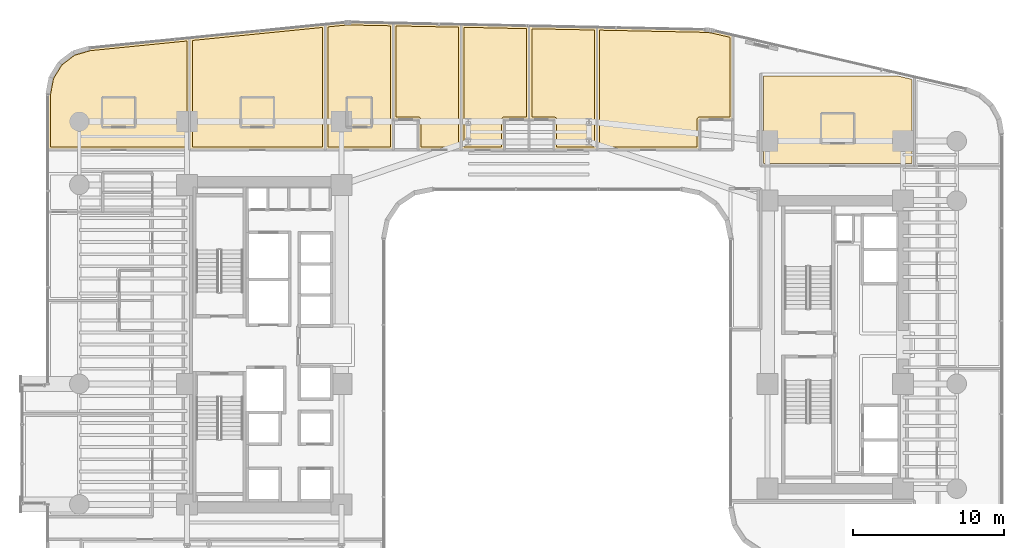
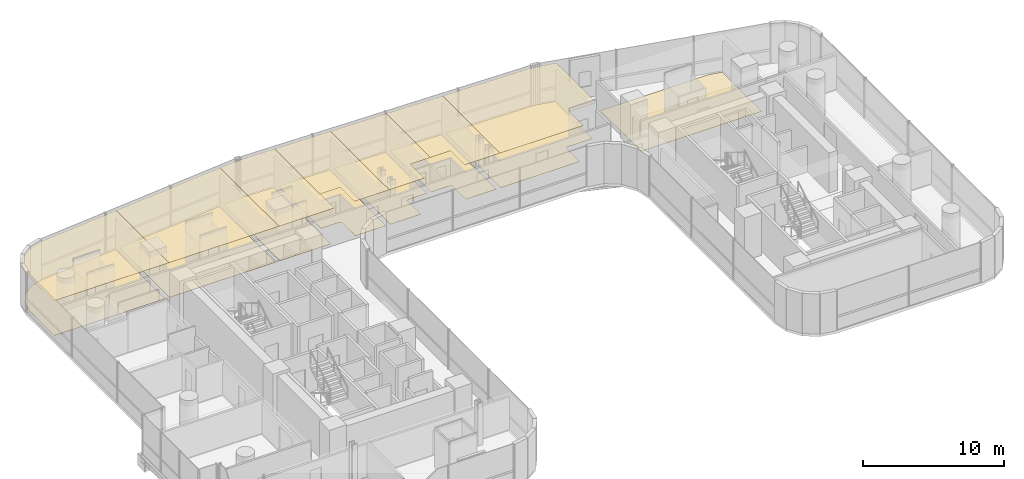
# One storey, part 39 of 40: 15 coverings.
"""IFC4 building model written with IfcOpenShell, lengths in metres."""

import ifcopenshell
import ifcopenshell.guid

model = None  # the IFC model being written
_history = None  # IfcOwnerHistory: only IFC2X3 demands one
_inside = {}  # id of a spatial element -> (the spatial element, [elements in it])
_under = {}  # id of a project, library or spatial element -> (it, [spatial elements below it])
_declared = {}  # id of a project -> (the project, [libraries it declares])
_typed = {}  # id of a type object -> (the type object, [elements of that type])
_made_of = {}  # id of a material, layer set ... -> (it, [elements and type objects made of it])


def new_model(schema):
    """Start an empty IFC model of exactly this schema.

    Asked for "IFC4X3", IfcOpenShell would pick the latest addendum, in which some entities
    have other attributes; the version numbers below select the first issue.
    IFC2X3 requires an IfcOwnerHistory on every rooted entity: one is made here for all.
    """
    global model, _history
    if schema == "IFC4X3":
        model = ifcopenshell.file(schema_version=(4, 3, 0, 0))
    else:
        model = ifcopenshell.file(schema=schema)
    _inside.clear()
    _under.clear()
    _declared.clear()
    _typed.clear()
    _made_of.clear()
    _history = None
    if model.schema == "IFC2X3":
        org = make("IfcOrganization", Name="unknown")
        user = make(
            "IfcPersonAndOrganization",
            ThePerson=make("IfcPerson", FamilyName="unknown"),
            TheOrganization=org,
        )
        app = make(
            "IfcApplication",
            ApplicationDeveloper=org,
            Version="unknown",
            ApplicationFullName="unknown",
            ApplicationIdentifier="unknown",
        )
        _history = make(
            "IfcOwnerHistory",
            OwningUser=user,
            OwningApplication=app,
            ChangeAction="ADDED",
            CreationDate=0,
        )
    return model


def make(cls, **values):
    """One entity of the class cls with the attributes given. An attribute that is None is left unset."""
    return model.create_entity(
        cls, **{name: value for name, value in values.items() if value is not None}
    )


def rooted(cls, **values):
    """An entity with a GlobalId (a new one), such as an element, a storey or a relation."""
    return make(cls, GlobalId=ifcopenshell.guid.new(), OwnerHistory=_history, **values)


def si_unit(unit_type, name, prefix=None):
    """IfcSIUnit, for example si_unit("LENGTHUNIT", "METRE", prefix="MILLI")."""
    return make("IfcSIUnit", UnitType=unit_type, Prefix=prefix, Name=name)


def assignment(units):
    """IfcUnitAssignment: the units of a project."""
    return None if units is None else make("IfcUnitAssignment", Units=units)


def point(xyz):
    """IfcCartesianPoint."""
    return None if xyz is None else make("IfcCartesianPoint", Coordinates=xyz)


def direction(xyz):
    """IfcDirection."""
    return None if xyz is None else make("IfcDirection", DirectionRatios=xyz)


def frame(location, z_axis=None, x_axis=None):
    """IfcAxis2Placement3D, a coordinate frame: its origin and axes. An axis left out is left unset."""
    return make(
        "IfcAxis2Placement3D",
        Location=point(location),
        Axis=direction(z_axis),
        RefDirection=direction(x_axis),
    )


def origin():
    """The frame at (0, 0, 0) with its axes left unset."""
    return frame((0.0, 0.0, 0.0))


def place(relative_to, where):
    """IfcLocalPlacement: puts the frame where relative to a parent placement (None: the world)."""
    return make(
        "IfcLocalPlacement", PlacementRelTo=relative_to, RelativePlacement=where
    )


def context(
    kind, dimensions, precision=None, world=None, true_north=None, identifier=None
):
    """IfcGeometricRepresentationContext, for example the 3D "Model" context."""
    return make(
        "IfcGeometricRepresentationContext",
        ContextIdentifier=identifier,
        ContextType=kind,
        CoordinateSpaceDimension=dimensions,
        Precision=precision,
        WorldCoordinateSystem=world,
        TrueNorth=true_north,
    )


def subcontext(parent, identifier, kind, view, scale=None):
    """IfcGeometricRepresentationSubContext, for example "Body" below "Model"."""
    return make(
        "IfcGeometricRepresentationSubContext",
        ContextIdentifier=identifier,
        ContextType=kind,
        ParentContext=parent,
        TargetScale=scale,
        TargetView=view,
    )


def project(units=None, contexts=None):
    """IfcProject with its units and contexts."""
    return rooted(
        "IfcProject",
        Name="project",
        RepresentationContexts=contexts,
        UnitsInContext=assignment(units),
    )


def spatial(cls, under=None, at=None, **own):
    """A site, building, storey or space (cls), placed at a placement, below another one or the project."""
    s = rooted(cls, ObjectPlacement=at, **own)
    if under is not None:
        _under.setdefault(under.id(), (under, []))[1].append(s)
    return s


def polyline(points):
    """IfcPolyline through the points."""
    return make("IfcPolyline", Points=[point(p) for p in points])


def outline(outer, holes=None, kind="AREA"):
    """IfcArbitraryClosedProfileDef: a profile drawn as a closed curve; with holes, ...WithVoids."""
    if holes is None:
        return make("IfcArbitraryClosedProfileDef", ProfileType=kind, OuterCurve=outer)
    return make(
        "IfcArbitraryProfileDefWithVoids",
        ProfileType=kind,
        OuterCurve=outer,
        InnerCurves=holes,
    )


def extrude(swept, where, along, depth):
    """IfcExtrudedAreaSolid: the profile swept, set in the frame where, extruded along a direction by depth."""
    return make(
        "IfcExtrudedAreaSolid",
        SweptArea=swept,
        Position=where,
        ExtrudedDirection=direction(along),
        Depth=depth,
    )


def shape(context_of_items, identifier, shape_type, items):
    """IfcShapeRepresentation: the items that make up one representation, for example the "Body"."""
    return make(
        "IfcShapeRepresentation",
        ContextOfItems=context_of_items,
        RepresentationIdentifier=identifier,
        RepresentationType=shape_type,
        Items=items,
    )


def material(Name=None, Category=None):
    """IfcMaterial."""
    return make("IfcMaterial", Name=Name, Category=Category)


def layer(
    of_material, thickness, ventilated=None, Name=None, Category=None, Priority=None
):
    """IfcMaterialLayer: one layer of a wall or slab, of a material (None: an air gap)."""
    return make(
        "IfcMaterialLayer",
        Material=of_material,
        LayerThickness=thickness,
        IsVentilated=ventilated,
        Name=Name,
        Category=Category,
        Priority=Priority,
    )


def layer_set(layers, Name=None):
    """IfcMaterialLayerSet."""
    return make("IfcMaterialLayerSet", MaterialLayers=layers, LayerSetName=Name)


def made_of(thing, what):
    """Note that an element or type object is made of a material, layer set ...; save() writes the relation."""
    if what is not None:
        _made_of.setdefault(what.id(), (what, []))[1].append(thing)
    return thing


def type_object(cls, material=None, **own):
    """A type object (cls), such as IfcWallType, which elements share."""
    return made_of(rooted(cls, **own), material)


def element(
    cls,
    number,
    at=None,
    inside=None,
    cuts=None,
    type_object=None,
    material=None,
    context=None,
    identifier="Body",
    shape_type=None,
    held_by="IfcProductDefinitionShape",
    body=None,
    shapes=None,
    **own,
):
    """One element of the class cls, such as IfcWall. Its Tag is "e" and its number.

    at: its placement. inside: the storey or other place that contains it. cuts: it is an
    opening in that element (IfcRelVoidsElement). A single representation is given by context,
    identifier, shape_type and body (its items); several are given by shapes. held_by: the class
    of the entity that holds the representations. save() writes the other relations.
    """
    e = rooted(cls, Tag="e%d" % number, ObjectPlacement=at, **own)
    if body is not None:
        shapes = [shape(context, identifier, shape_type, body)]
    if shapes is not None:
        e.Representation = make(held_by, Representations=shapes)
    if inside is not None:
        _inside.setdefault(inside.id(), (inside, []))[1].append(e)
    if cuts is not None:
        rooted(
            "IfcRelVoidsElement", RelatingBuildingElement=cuts, RelatedOpeningElement=e
        )
    if type_object is not None:
        _typed.setdefault(type_object.id(), (type_object, []))[1].append(e)
    return made_of(e, material)


def aggregate(whole, parts):
    """IfcRelAggregates: a whole, such as a stair, and the parts it consists of."""
    return rooted("IfcRelAggregates", RelatingObject=whole, RelatedObjects=parts)


def save(model, path):
    """Write the relations noted so far, then the file.

    IfcRelAggregates (storeys below a building ...), IfcRelContainedInSpatialStructure (elements
    in a storey), IfcRelDefinesByType, IfcRelAssociatesMaterial and IfcRelDeclares: one each for
    every whole, place, type object, material and project.
    """
    for whole, parts in _under.values():
        aggregate(whole, parts)
    for where, things in _inside.values():
        rooted(
            "IfcRelContainedInSpatialStructure",
            RelatedElements=things,
            RelatingStructure=where,
        )
    for kind, things in _typed.values():
        rooted("IfcRelDefinesByType", RelatedObjects=things, RelatingType=kind)
    for what, things in _made_of.values():
        rooted("IfcRelAssociatesMaterial", RelatedObjects=things, RelatingMaterial=what)
    for by, libraries in _declared.values():
        rooted("IfcRelDeclares", RelatingContext=by, RelatedDefinitions=libraries)
    model.write(path)


model = new_model("IFC4")

# Units and contexts
model_context = context("Model", 3, precision=1e-05, world=origin(), true_north=direction((0.0, 1.0)))
body_context = subcontext(model_context, "Body", "Model", "MODEL_VIEW")
ifc_project = project(units=[si_unit("LENGTHUNIT", "METRE"), si_unit("AREAUNIT", "SQUARE_METRE"), si_unit("VOLUMEUNIT", "CUBIC_METRE"), si_unit("PLANEANGLEUNIT", "RADIAN"), si_unit("MASSUNIT", "GRAM", prefix="KILO")], contexts=[model_context])

# Site, building, storey
site_placement = place(None, origin())
site = spatial("IfcSite", under=ifc_project, at=site_placement, CompositionType="ELEMENT")
building_placement = place(site_placement, origin())
building = spatial("IfcBuilding", under=site, at=building_placement, Name="Valdorenza Pilgrim Sanctuary Tower", CompositionType="ELEMENT")
storey_placement = place(building_placement, frame((0.0, 0.0, 92.60009765625)))
storey = spatial("IfcBuildingStorey", under=building, at=storey_placement, Name="L23", CompositionType="ELEMENT", Elevation=92.60009765625)

# Coverings
ifc_material_1 = material(Name="Micro-perforated acoustic mineral ceiling tile", Category="gypsum")
ifc_layer_1 = layer(ifc_material_1, 0.02490234375, Name="Micro-perforated acoustic mineral ceiling tile")
ifc_layer_set_1 = layer_set([ifc_layer_1], Name="Micro-perforated acoustic mineral ceiling tile")
covering_type_1 = type_object("IfcCoveringType", Name="COV-CLG-ACU", PredefinedType="CEILING", material=ifc_layer_set_1)
covering_1_placement = place(storey_placement, frame((0.0, 0.0, 3.159912109375)))
element("IfcCovering", 1, at=covering_1_placement, inside=storey, type_object=covering_type_1, Name="L23 North Guest Room L23-N1 Acoustic Ceiling", PredefinedType="CEILING", context=body_context, shape_type="SweptSolid", body=[
    extrude(outline(polyline([(-31.6962890625, 17.717041015625), (-31.696044921875, 17.718505859375), (-31.695556640625, 17.7197265625), (-31.695068359375, 17.720947265625), (-31.6943359375, 17.72216796875), (-31.102294921875, 18.68408203125), (-31.1015625, 18.685302734375), (-31.100830078125, 18.686279296875), (-31.099853515625, 18.687255859375), (-31.0986328125, 18.688232421875), (-30.20068359375, 19.372802734375), (-30.199462890625, 19.37353515625), (-30.1982421875, 19.374267578125), (-30.197021484375, 19.374755859375), (-30.19580078125, 19.375244140625), (-29.1015625, 19.694091796875), (-29.10009765625, 19.694580078125), (-29.098876953125, 19.694580078125), (-22.491455078125, 20.35546875), (-22.489990234375, 20.35546875), (-22.488525390625, 20.35546875), (-22.487060546875, 20.355224609375), (-22.485595703125, 20.354736328125), (-22.484375, 20.354248046875), (-22.48291015625, 20.353759765625), (-22.481689453125, 20.35302734375), (-22.48046875, 20.35205078125), (-22.4794921875, 20.35107421875), (-22.478515625, 20.35009765625), (-22.4775390625, 20.348876953125), (-22.476806640625, 20.34765625), (-22.47607421875, 20.34619140625), (-22.4755859375, 20.3447265625), (-22.475341796875, 20.343505859375), (-22.47509765625, 20.342041015625), (-22.47509765625, 20.340576171875), (-22.47509765625, 12.919921875), (-22.47509765625, 12.91845703125), (-22.475341796875, 12.9169921875), (-22.4755859375, 12.91552734375), (-22.47607421875, 12.914306640625), (-22.476806640625, 12.912841796875), (-22.4775390625, 12.91162109375), (-22.478515625, 12.910400390625), (-22.4794921875, 12.909423828125), (-22.48046875, 12.908447265625), (-22.481689453125, 12.907470703125), (-22.48291015625, 12.90673828125), (-22.484375, 12.906005859375), (-22.485595703125, 12.905517578125), (-22.487060546875, 12.9052734375), (-22.488525390625, 12.905029296875), (-22.489990234375, 12.905029296875), (-31.889892578125, 12.905029296875), (-31.8916015625, 12.905029296875), (-31.892822265625, 12.9052734375), (-31.894287109375, 12.905517578125), (-31.895751953125, 12.906005859375), (-31.897216796875, 12.90673828125), (-31.898193359375, 12.907470703125), (-31.8994140625, 12.908447265625), (-31.900634765625, 12.909423828125), (-31.901611328125, 12.910400390625), (-31.902587890625, 12.91162109375), (-31.9033203125, 12.912841796875), (-31.90380859375, 12.914306640625), (-31.904296875, 12.91552734375), (-31.90478515625, 12.9169921875), (-31.90478515625, 12.91845703125), (-31.905029296875, 12.919921875), (-31.905029296875, 16.593994140625), (-31.90478515625, 16.59521484375), (-31.90478515625, 16.5966796875), (-31.6962890625, 17.717041015625)])), origin(), (0.0, 0.0, 1.0), 0.02490234375),
])
covering_2_placement = place(storey_placement, frame((0.0, 0.0, 3.159912109375)))
element("IfcCovering", 2, at=covering_2_placement, inside=storey, type_object=covering_type_1, Name="L23 North Guest Room L23-N2 Acoustic Ceiling", PredefinedType="CEILING", context=body_context, shape_type="SweptSolid", body=[
    extrude(outline(polyline([(-22.5029296875, 20.340576171875), (-22.5029296875, 20.341552734375), (-22.502685546875, 20.343017578125), (-22.50244140625, 20.344482421875), (-22.502197265625, 20.345947265625), (-22.50146484375, 20.347412109375), (-22.500732421875, 20.3486328125), (-22.499755859375, 20.349853515625), (-22.498779296875, 20.35107421875), (-22.497802734375, 20.35205078125), (-22.49658203125, 20.35302734375), (-22.495361328125, 20.353759765625), (-22.493896484375, 20.3544921875), (-22.492431640625, 20.35498046875), (-22.490966796875, 20.35546875), (-22.489501953125, 20.355712890625), (-13.4814453125, 21.25634765625), (-13.47998046875, 21.256591796875), (-13.478515625, 21.25634765625), (-13.47705078125, 21.256103515625), (-13.4755859375, 21.255859375), (-13.474365234375, 21.25537109375), (-13.472900390625, 21.254638671875), (-13.4716796875, 21.25390625), (-13.470458984375, 21.253173828125), (-13.469482421875, 21.252197265625), (-13.468505859375, 21.2509765625), (-13.467529296875, 21.249755859375), (-13.466796875, 21.24853515625), (-13.466064453125, 21.247314453125), (-13.465576171875, 21.245849609375), (-13.46533203125, 21.244384765625), (-13.465087890625, 21.242919921875), (-13.465087890625, 21.241455078125), (-13.465087890625, 12.919921875), (-13.465087890625, 12.91845703125), (-13.46533203125, 12.9169921875), (-13.465576171875, 12.91552734375), (-13.466064453125, 12.914306640625), (-13.466796875, 12.912841796875), (-13.467529296875, 12.91162109375), (-13.468505859375, 12.910400390625), (-13.469482421875, 12.909423828125), (-13.470458984375, 12.908447265625), (-13.4716796875, 12.907470703125), (-13.472900390625, 12.90673828125), (-13.474365234375, 12.906005859375), (-13.4755859375, 12.905517578125), (-13.47705078125, 12.9052734375), (-13.478515625, 12.905029296875), (-13.47998046875, 12.905029296875), (-22.488037109375, 12.905029296875), (-22.489501953125, 12.905029296875), (-22.490966796875, 12.9052734375), (-22.492431640625, 12.905517578125), (-22.49365234375, 12.906005859375), (-22.4951171875, 12.90673828125), (-22.496337890625, 12.907470703125), (-22.49755859375, 12.908447265625), (-22.49853515625, 12.909423828125), (-22.49951171875, 12.910400390625), (-22.50048828125, 12.91162109375), (-22.501220703125, 12.912841796875), (-22.501953125, 12.914306640625), (-22.50244140625, 12.91552734375), (-22.502685546875, 12.9169921875), (-22.5029296875, 12.91845703125), (-22.5029296875, 12.919921875), (-22.5029296875, 20.340576171875), (-22.5029296875, 20.340576171875)])), origin(), (0.0, 0.0, 1.0), 0.02490234375),
])
covering_3_placement = place(storey_placement, frame((0.0, 0.0, 3.159912109375)))
element("IfcCovering", 3, at=covering_3_placement, inside=storey, type_object=covering_type_1, Name="L23 North Guest Room L23-N3A Acoustic Ceiling", PredefinedType="CEILING", context=body_context, shape_type="SweptSolid", body=[
    extrude(outline(polyline([(-13.492919921875, 21.241455078125), (-13.492919921875, 21.242431640625), (-13.492919921875, 21.243896484375), (-13.492431640625, 21.24560546875), (-13.4921875, 21.246826171875), (-13.491455078125, 21.248291015625), (-13.49072265625, 21.24951171875), (-13.48974609375, 21.2509765625), (-13.489013671875, 21.251953125), (-13.48779296875, 21.253173828125), (-13.486572265625, 21.25390625), (-13.4853515625, 21.2548828125), (-13.48388671875, 21.255615234375), (-13.482421875, 21.256103515625), (-13.48095703125, 21.25634765625), (-13.4794921875, 21.256591796875), (-12.18359375, 21.38623046875), (-12.183349609375, 21.38623046875), (-12.089599609375, 21.39404296875), (-12.089111328125, 21.39404296875), (-11.996337890625, 21.399169921875), (-11.995849609375, 21.3994140625), (-11.902587890625, 21.401611328125), (-11.90234375, 21.401611328125), (-11.808349609375, 21.40087890625), (-11.80810546875, 21.40087890625), (-8.974609375, 21.342041015625), (-8.97314453125, 21.341796875), (-8.9716796875, 21.341552734375), (-8.970458984375, 21.34130859375), (-8.968994140625, 21.3408203125), (-8.9677734375, 21.340087890625), (-8.966552734375, 21.33935546875), (-8.96533203125, 21.33837890625), (-8.96435546875, 21.33740234375), (-8.96337890625, 21.33642578125), (-8.96240234375, 21.335205078125), (-8.961669921875, 21.333984375), (-8.961181640625, 21.33251953125), (-8.960693359375, 21.331298828125), (-8.960205078125, 21.329833984375), (-8.960205078125, 21.328369140625), (-8.9599609375, 21.326904296875), (-8.9599609375, 12.919921875), (-8.960205078125, 12.91845703125), (-8.960205078125, 12.9169921875), (-8.960693359375, 12.91552734375), (-8.961181640625, 12.914306640625), (-8.9619140625, 12.912841796875), (-8.96240234375, 12.91162109375), (-8.96337890625, 12.910400390625), (-8.96435546875, 12.909423828125), (-8.965576171875, 12.908447265625), (-8.966796875, 12.907470703125), (-8.968017578125, 12.90673828125), (-8.96923828125, 12.906005859375), (-8.970703125, 12.905517578125), (-8.97216796875, 12.9052734375), (-8.973388671875, 12.905029296875), (-8.97509765625, 12.905029296875), (-13.47802734375, 12.905029296875), (-13.4794921875, 12.905029296875), (-13.48095703125, 12.9052734375), (-13.482421875, 12.905517578125), (-13.483642578125, 12.906005859375), (-13.485107421875, 12.90673828125), (-13.486328125, 12.907470703125), (-13.487548828125, 12.908447265625), (-13.488525390625, 12.909423828125), (-13.489501953125, 12.910400390625), (-13.490478515625, 12.91162109375), (-13.4912109375, 12.912841796875), (-13.491943359375, 12.914306640625), (-13.492431640625, 12.91552734375), (-13.49267578125, 12.9169921875), (-13.492919921875, 12.91845703125), (-13.492919921875, 12.919921875), (-13.492919921875, 21.241455078125), (-13.492919921875, 21.241455078125)])), origin(), (0.0, 0.0, 1.0), 0.02490234375),
])
covering_4_placement = place(storey_placement, frame((0.0, 0.0, 3.159912109375)))
element("IfcCovering", 4, at=covering_4_placement, inside=storey, type_object=covering_type_1, Name="L23 North Guest Room L23-N3B Acoustic Ceiling", PredefinedType="CEILING", context=body_context, shape_type="SweptSolid", body=[
    extrude(outline(polyline([(-7.337890625, 14.906982421875), (-8.972900390625, 14.906982421875), (-8.974609375, 14.906982421875), (-8.975830078125, 14.9072265625), (-8.977294921875, 14.90771484375), (-8.978759765625, 14.908203125), (-8.97998046875, 14.90869140625), (-8.981201171875, 14.909423828125), (-8.982421875, 14.910400390625), (-8.983642578125, 14.911376953125), (-8.984619140625, 14.91259765625), (-8.985595703125, 14.913818359375), (-8.986083984375, 14.914794921875), (-8.98681640625, 14.916259765625), (-8.9873046875, 14.91748046875), (-8.98779296875, 14.919189453125), (-8.98779296875, 14.92041015625), (-8.988037109375, 14.922119140625), (-8.988037109375, 21.326904296875), (-8.98779296875, 21.328369140625), (-8.98779296875, 21.329833984375), (-8.9873046875, 21.331298828125), (-8.98681640625, 21.332763671875), (-8.986083984375, 21.333984375), (-8.9853515625, 21.33544921875), (-8.984619140625, 21.336669921875), (-8.9833984375, 21.337646484375), (-8.982421875, 21.338623046875), (-8.981201171875, 21.339599609375), (-8.97998046875, 21.34033203125), (-8.978515625, 21.3408203125), (-8.97705078125, 21.34130859375), (-8.9755859375, 21.341796875), (-8.97412109375, 21.341796875), (-8.97265625, 21.341796875), (-4.4697265625, 21.248046875), (-4.46826171875, 21.248046875), (-4.466796875, 21.247802734375), (-4.46533203125, 21.247314453125), (-4.464111328125, 21.246826171875), (-4.462646484375, 21.24609375), (-4.46142578125, 21.24560546875), (-4.460205078125, 21.24462890625), (-4.459228515625, 21.24365234375), (-4.458251953125, 21.242431640625), (-4.45751953125, 21.241455078125), (-4.456787109375, 21.239990234375), (-4.4560546875, 21.23876953125), (-4.45556640625, 21.2373046875), (-4.455322265625, 21.236083984375), (-4.455078125, 21.234619140625), (-4.455078125, 21.233154296875), (-4.455078125, 12.919921875), (-4.455078125, 12.91845703125), (-4.455322265625, 12.9169921875), (-4.45556640625, 12.91552734375), (-4.4560546875, 12.914306640625), (-4.456787109375, 12.912841796875), (-4.45751953125, 12.91162109375), (-4.45849609375, 12.910400390625), (-4.45947265625, 12.909423828125), (-4.46044921875, 12.908447265625), (-4.461669921875, 12.907470703125), (-4.462890625, 12.90673828125), (-4.46435546875, 12.906005859375), (-4.465576171875, 12.905517578125), (-4.467041015625, 12.9052734375), (-4.468505859375, 12.905029296875), (-4.469970703125, 12.905029296875), (-7.322998046875, 12.905029296875), (-7.324462890625, 12.905029296875), (-7.325927734375, 12.9052734375), (-7.327392578125, 12.905517578125), (-7.32861328125, 12.906005859375), (-7.330078125, 12.90673828125), (-7.331298828125, 12.907470703125), (-7.33251953125, 12.908447265625), (-7.33349609375, 12.909423828125), (-7.334716796875, 12.910400390625), (-7.33544921875, 12.91162109375), (-7.336181640625, 12.912841796875), (-7.3369140625, 12.914306640625), (-7.33740234375, 12.91552734375), (-7.337646484375, 12.9169921875), (-7.337890625, 12.91845703125), (-7.337890625, 12.919921875), (-7.337890625, 14.906982421875)])), origin(), (0.0, 0.0, 1.0), 0.02490234375),
])
covering_5_placement = place(storey_placement, frame((0.0, 0.0, 3.159912109375)))
element("IfcCovering", 5, at=covering_5_placement, inside=storey, type_object=covering_type_1, Name="L23 North Guest Room L23-N4A Acoustic Ceiling", PredefinedType="CEILING", context=body_context, shape_type="SweptSolid", body=[
    extrude(outline(polyline([(-1.60205078125, 14.906982421875), (-1.60205078125, 12.919921875), (-1.60205078125, 12.91845703125), (-1.602294921875, 12.9169921875), (-1.6025390625, 12.91552734375), (-1.60302734375, 12.914306640625), (-1.603759765625, 12.912841796875), (-1.6044921875, 12.91162109375), (-1.60546875, 12.910400390625), (-1.6064453125, 12.909423828125), (-1.607421875, 12.908447265625), (-1.608642578125, 12.907470703125), (-1.60986328125, 12.90673828125), (-1.611328125, 12.906005859375), (-1.612548828125, 12.905517578125), (-1.614013671875, 12.9052734375), (-1.615478515625, 12.905029296875), (-1.616943359375, 12.905029296875), (-4.468017578125, 12.905029296875), (-4.469482421875, 12.905029296875), (-4.470947265625, 12.9052734375), (-4.472412109375, 12.905517578125), (-4.4736328125, 12.906005859375), (-4.47509765625, 12.90673828125), (-4.476318359375, 12.907470703125), (-4.4775390625, 12.908447265625), (-4.478515625, 12.909423828125), (-4.4794921875, 12.910400390625), (-4.48046875, 12.91162109375), (-4.481201171875, 12.912841796875), (-4.48193359375, 12.914306640625), (-4.482421875, 12.91552734375), (-4.482666015625, 12.9169921875), (-4.48291015625, 12.91845703125), (-4.48291015625, 12.919921875), (-4.48291015625, 21.233154296875), (-4.48291015625, 21.234619140625), (-4.482666015625, 21.236083984375), (-4.482421875, 21.237548828125), (-4.481689453125, 21.239013671875), (-4.481201171875, 21.240234375), (-4.48046875, 21.241455078125), (-4.4794921875, 21.24267578125), (-4.478515625, 21.243896484375), (-4.477294921875, 21.244873046875), (-4.476318359375, 21.24560546875), (-4.474853515625, 21.246337890625), (-4.473388671875, 21.2470703125), (-4.47216796875, 21.24755859375), (-4.470703125, 21.247802734375), (-4.46923828125, 21.248046875), (-4.4677734375, 21.248046875), (0.035400390625, 21.154296875), (0.036865234375, 21.154296875), (0.0380859375, 21.15380859375), (0.03955078125, 21.153564453125), (0.041015625, 21.153076171875), (0.042236328125, 21.15234375), (0.04345703125, 21.151611328125), (0.044677734375, 21.150634765625), (0.045654296875, 21.14990234375), (0.046630859375, 21.148681640625), (0.047607421875, 21.1474609375), (0.04833984375, 21.146240234375), (0.048828125, 21.14501953125), (0.04931640625, 21.1435546875), (0.0498046875, 21.14208984375), (0.0498046875, 21.140625), (0.050048828125, 21.139404296875), (0.050048828125, 14.922119140625), (0.0498046875, 14.92041015625), (0.0498046875, 14.919189453125), (0.04931640625, 14.91748046875), (0.048828125, 14.916259765625), (0.048095703125, 14.914794921875), (0.047607421875, 14.913818359375), (0.046630859375, 14.91259765625), (0.045654296875, 14.911376953125), (0.04443359375, 14.910400390625), (0.043212890625, 14.909423828125), (0.0419921875, 14.90869140625), (0.040771484375, 14.908203125), (0.039306640625, 14.90771484375), (0.037841796875, 14.9072265625), (0.03662109375, 14.906982421875), (0.034912109375, 14.906982421875), (-1.60205078125, 14.906982421875)])), origin(), (0.0, 0.0, 1.0), 0.02490234375),
])
covering_6_placement = place(storey_placement, frame((0.0, 0.0, 3.159912109375)))
element("IfcCovering", 6, at=covering_6_placement, inside=storey, type_object=covering_type_1, Name="L23 North Guest Room L23-N4B Acoustic Ceiling", PredefinedType="CEILING", context=body_context, shape_type="SweptSolid", body=[
    extrude(outline(polyline([(1.672119140625, 14.906982421875), (0.037109375, 14.906982421875), (0.035400390625, 14.906982421875), (0.0341796875, 14.9072265625), (0.03271484375, 14.90771484375), (0.03125, 14.908203125), (0.02978515625, 14.90869140625), (0.02880859375, 14.909423828125), (0.027587890625, 14.910400390625), (0.0263671875, 14.911376953125), (0.025390625, 14.91259765625), (0.0244140625, 14.913818359375), (0.023681640625, 14.914794921875), (0.023193359375, 14.916259765625), (0.022705078125, 14.91748046875), (0.022216796875, 14.919189453125), (0.022216796875, 14.92041015625), (0.02197265625, 14.922119140625), (0.02197265625, 21.13916015625), (0.022216796875, 21.140625), (0.022216796875, 21.14208984375), (0.022705078125, 21.1435546875), (0.023193359375, 21.14501953125), (0.023681640625, 21.146484375), (0.024658203125, 21.147705078125), (0.025390625, 21.148681640625), (0.026611328125, 21.14990234375), (0.027587890625, 21.15087890625), (0.02880859375, 21.15185546875), (0.030029296875, 21.152587890625), (0.031494140625, 21.1533203125), (0.032958984375, 21.153564453125), (0.0341796875, 21.154052734375), (0.035888671875, 21.154296875), (0.037353515625, 21.154296875), (4.540283203125, 21.060302734375), (4.541748046875, 21.060302734375), (4.543212890625, 21.06005859375), (4.544677734375, 21.059814453125), (4.5458984375, 21.05908203125), (4.54736328125, 21.05859375), (4.548583984375, 21.057861328125), (4.5498046875, 21.056884765625), (4.55078125, 21.055908203125), (4.5517578125, 21.0546875), (4.552490234375, 21.0537109375), (4.55322265625, 21.052490234375), (4.553955078125, 21.051025390625), (4.554443359375, 21.0498046875), (4.5546875, 21.04833984375), (4.554931640625, 21.046875), (4.554931640625, 21.04541015625), (4.554931640625, 12.919921875), (4.554931640625, 12.91845703125), (4.5546875, 12.9169921875), (4.554443359375, 12.91552734375), (4.553955078125, 12.914306640625), (4.55322265625, 12.912841796875), (4.552490234375, 12.91162109375), (4.551513671875, 12.910400390625), (4.550537109375, 12.909423828125), (4.549560546875, 12.908447265625), (4.54833984375, 12.907470703125), (4.547119140625, 12.90673828125), (4.545654296875, 12.906005859375), (4.54443359375, 12.905517578125), (4.54296875, 12.9052734375), (4.54150390625, 12.905029296875), (4.5400390625, 12.905029296875), (1.68701171875, 12.905029296875), (1.685546875, 12.905029296875), (1.68408203125, 12.9052734375), (1.6826171875, 12.905517578125), (1.681396484375, 12.906005859375), (1.679931640625, 12.90673828125), (1.6787109375, 12.907470703125), (1.677490234375, 12.908447265625), (1.676513671875, 12.909423828125), (1.67529296875, 12.910400390625), (1.674560546875, 12.91162109375), (1.673828125, 12.912841796875), (1.673095703125, 12.914306640625), (1.672607421875, 12.91552734375), (1.67236328125, 12.9169921875), (1.672119140625, 12.91845703125), (1.672119140625, 12.919921875), (1.672119140625, 14.906982421875)])), origin(), (0.0, 0.0, 1.0), 0.02490234375),
])
covering_7_placement = place(storey_placement, frame((0.0, 0.0, 3.159912109375)))
element("IfcCovering", 7, at=covering_7_placement, inside=storey, type_object=covering_type_1, Name="L23 North Guest Room L23-N5 Acoustic Ceiling", PredefinedType="CEILING", context=body_context, shape_type="SweptSolid", body=[
    extrude(outline(polyline([(11.363037109375, 14.906982421875), (11.363037109375, 12.919921875), (11.36279296875, 12.91845703125), (11.36279296875, 12.9169921875), (11.3623046875, 12.91552734375), (11.36181640625, 12.914306640625), (11.361083984375, 12.912841796875), (11.360595703125, 12.91162109375), (11.359619140625, 12.910400390625), (11.358642578125, 12.909423828125), (11.357421875, 12.908447265625), (11.356201171875, 12.907470703125), (11.35498046875, 12.90673828125), (11.353759765625, 12.906005859375), (11.352294921875, 12.905517578125), (11.350830078125, 12.9052734375), (11.349609375, 12.905029296875), (11.347900390625, 12.905029296875), (4.5419921875, 12.905029296875), (4.54052734375, 12.905029296875), (4.5390625, 12.9052734375), (4.53759765625, 12.905517578125), (4.536376953125, 12.906005859375), (4.534912109375, 12.90673828125), (4.53369140625, 12.907470703125), (4.532470703125, 12.908447265625), (4.531494140625, 12.909423828125), (4.530517578125, 12.910400390625), (4.529541015625, 12.91162109375), (4.52880859375, 12.912841796875), (4.528076171875, 12.914306640625), (4.527587890625, 12.91552734375), (4.52734375, 12.9169921875), (4.527099609375, 12.91845703125), (4.527099609375, 12.919921875), (4.527099609375, 21.04541015625), (4.527099609375, 21.046875), (4.52734375, 21.04833984375), (4.527587890625, 21.0498046875), (4.5283203125, 21.05126953125), (4.52880859375, 21.052490234375), (4.529541015625, 21.0537109375), (4.530517578125, 21.054931640625), (4.531494140625, 21.05615234375), (4.53271484375, 21.05712890625), (4.53369140625, 21.057861328125), (4.53515625, 21.05859375), (4.53662109375, 21.059326171875), (4.537841796875, 21.059814453125), (4.539306640625, 21.06005859375), (4.540771484375, 21.060302734375), (4.542236328125, 21.060302734375), (11.666015625, 20.912109375), (11.66650390625, 20.911865234375), (11.82666015625, 20.904296875), (11.827392578125, 20.904296875), (11.98583984375, 20.888916015625), (11.986572265625, 20.888671875), (12.143798828125, 20.864990234375), (12.14453125, 20.864990234375), (12.302001953125, 20.832763671875), (12.30224609375, 20.832763671875), (13.553466796875, 20.5439453125), (13.5546875, 20.543701171875), (13.55615234375, 20.543212890625), (13.557373046875, 20.54248046875), (13.55859375, 20.541748046875), (13.559814453125, 20.540771484375), (13.560791015625, 20.539794921875), (13.561767578125, 20.538818359375), (13.5625, 20.53759765625), (13.563232421875, 20.536376953125), (13.56396484375, 20.534912109375), (13.564453125, 20.53369140625), (13.564697265625, 20.5322265625), (13.56494140625, 20.53076171875), (13.56494140625, 20.529296875), (13.56494140625, 14.922119140625), (13.56494140625, 14.92041015625), (13.564697265625, 14.919189453125), (13.564453125, 14.91748046875), (13.56396484375, 14.916259765625), (13.563232421875, 14.914794921875), (13.5625, 14.913818359375), (13.5615234375, 14.91259765625), (13.560546875, 14.911376953125), (13.5595703125, 14.910400390625), (13.558349609375, 14.909423828125), (13.55712890625, 14.90869140625), (13.5556640625, 14.908203125), (13.554443359375, 14.90771484375), (13.552978515625, 14.9072265625), (13.551513671875, 14.906982421875), (13.550048828125, 14.906982421875), (11.363037109375, 14.906982421875)])), origin(), (0.0, 0.0, 1.0), 0.02490234375),
])
ifc_material_2 = material(Name="Engineered European oak timber flooring", Category="wood")
ifc_layer_2 = layer(ifc_material_2, 0.02197265625, Name="Engineered European oak timber flooring")
ifc_layer_set_2 = layer_set([ifc_layer_2], Name="Engineered European oak timber flooring")
covering_type_2 = type_object("IfcCoveringType", Name="COV-FLR-OAK", PredefinedType="FLOORING", material=ifc_layer_set_2)
covering_8_placement = place(storey_placement, origin())
element("IfcCovering", 8, at=covering_8_placement, inside=storey, type_object=covering_type_2, Name="L23 North Guest Room L23-N1 Flooring", PredefinedType="FLOORING", context=body_context, shape_type="SweptSolid", body=[
    extrude(outline(polyline([(-31.5107421875, 17.6484375), (-30.953857421875, 18.553466796875), (-30.109130859375, 19.197509765625), (-29.06298828125, 19.502197265625), (-22.669921875, 20.1416015625), (-22.669921875, 13.10009765625), (-31.7099609375, 13.10009765625), (-31.7099609375, 16.577392578125), (-31.5107421875, 17.6484375)])), origin(), (0.0, 0.0, 1.0), 0.02490234375),
])
covering_9_placement = place(storey_placement, origin())
element("IfcCovering", 9, at=covering_9_placement, inside=storey, type_object=covering_type_2, Name="L23 North Guest Room L23-N2 Flooring", PredefinedType="FLOORING", context=body_context, shape_type="SweptSolid", body=[
    extrude(outline(polyline([(-13.659912109375, 21.04248046875), (-13.659912109375, 13.10009765625), (-22.30810546875, 13.10009765625), (-22.30810546875, 20.177490234375), (-13.659912109375, 21.04248046875)])), origin(), (0.0, 0.0, 1.0), 0.02490234375),
])
covering_10_placement = place(storey_placement, origin())
element("IfcCovering", 10, at=covering_10_placement, inside=storey, type_object=covering_type_2, Name="L23 North Guest Room L23-N3A Flooring", PredefinedType="FLOORING", context=body_context, shape_type="SweptSolid", body=[
    extrude(outline(polyline([(-12.16552734375, 21.19189453125), (-12.07568359375, 21.19970703125), (-11.98828125, 21.204345703125), (-11.900634765625, 21.20654296875), (-11.810791015625, 21.2060546875), (-9.155029296875, 21.150634765625), (-9.155029296875, 13.10009765625), (-13.298095703125, 13.10009765625), (-13.298095703125, 21.07861328125), (-12.16552734375, 21.19189453125)])), origin(), (0.0, 0.0, 1.0), 0.02490234375),
])
covering_11_placement = place(storey_placement, origin())
element("IfcCovering", 11, at=covering_11_placement, inside=storey, type_object=covering_type_2, Name="L23 North Guest Room L23-N3B Flooring", PredefinedType="FLOORING", context=body_context, shape_type="SweptSolid", body=[
    extrude(outline(polyline([(-7.14306640625, 13.10009765625), (-7.14306640625, 14.919921875), (-7.143310546875, 14.9287109375), (-7.143310546875, 14.928955078125), (-7.14501953125, 14.946533203125), (-7.14501953125, 14.94677734375), (-7.1484375, 14.964111328125), (-7.1484375, 14.96435546875), (-7.153564453125, 14.981201171875), (-7.15380859375, 14.9814453125), (-7.160400390625, 14.997802734375), (-7.160400390625, 14.997802734375), (-7.168701171875, 15.013427734375), (-7.1689453125, 15.013671875), (-7.1787109375, 15.0283203125), (-7.178955078125, 15.028564453125), (-7.190185546875, 15.0419921875), (-7.190185546875, 15.042236328125), (-7.20263671875, 15.0546875), (-7.202880859375, 15.054931640625), (-7.216552734375, 15.066162109375), (-7.216796875, 15.066162109375), (-7.2314453125, 15.076171875), (-7.2314453125, 15.076171875), (-7.2470703125, 15.08447265625), (-7.247314453125, 15.084716796875), (-7.263671875, 15.09130859375), (-7.263916015625, 15.09130859375), (-7.28076171875, 15.096435546875), (-7.281005859375, 15.0966796875), (-7.298095703125, 15.10009765625), (-7.29833984375, 15.10009765625), (-7.31591796875, 15.101806640625), (-7.316162109375, 15.101806640625), (-7.324951171875, 15.10205078125), (-8.79296875, 15.10205078125), (-8.79296875, 21.14306640625), (-4.64990234375, 21.056884765625), (-4.64990234375, 13.10009765625), (-7.14306640625, 13.10009765625)])), origin(), (0.0, 0.0, 1.0), 0.02490234375),
])
covering_12_placement = place(storey_placement, origin())
element("IfcCovering", 12, at=covering_12_placement, inside=storey, type_object=covering_type_2, Name="L23 North Guest Room L23-N4A Flooring", PredefinedType="FLOORING", context=body_context, shape_type="SweptSolid", body=[
    extrude(outline(polyline([(-0.14501953125, 20.962890625), (-0.14501953125, 15.10205078125), (-1.614990234375, 15.10205078125), (-1.623779296875, 15.101806640625), (-1.6240234375, 15.101806640625), (-1.6416015625, 15.10009765625), (-1.641845703125, 15.10009765625), (-1.6591796875, 15.0966796875), (-1.6591796875, 15.096435546875), (-1.67626953125, 15.09130859375), (-1.676513671875, 15.09130859375), (-1.692626953125, 15.084716796875), (-1.69287109375, 15.08447265625), (-1.70849609375, 15.076171875), (-1.70849609375, 15.076171875), (-1.723388671875, 15.066162109375), (-1.723388671875, 15.066162109375), (-1.737060546875, 15.054931640625), (-1.7373046875, 15.0546875), (-1.749755859375, 15.042236328125), (-1.75, 15.0419921875), (-1.760986328125, 15.028564453125), (-1.76123046875, 15.0283203125), (-1.77099609375, 15.013671875), (-1.771240234375, 15.013427734375), (-1.779541015625, 14.997802734375), (-1.779541015625, 14.997802734375), (-1.786376953125, 14.9814453125), (-1.786376953125, 14.981201171875), (-1.79150390625, 14.96435546875), (-1.79150390625, 14.964111328125), (-1.794921875, 14.94677734375), (-1.794921875, 14.946533203125), (-1.796875, 14.928955078125), (-1.796875, 14.9287109375), (-1.797119140625, 14.919921875), (-1.797119140625, 13.10009765625), (-4.2880859375, 13.10009765625), (-4.2880859375, 21.04931640625), (-0.14501953125, 20.962890625)])), origin(), (0.0, 0.0, 1.0), 0.02490234375),
])
covering_13_placement = place(storey_placement, origin())
element("IfcCovering", 13, at=covering_13_placement, inside=storey, type_object=covering_type_2, Name="L23 North Guest Room L23-N4B Flooring", PredefinedType="FLOORING", context=body_context, shape_type="SweptSolid", body=[
    extrude(outline(polyline([(1.866943359375, 13.10009765625), (1.866943359375, 14.919921875), (1.86669921875, 14.9287109375), (1.86669921875, 14.928955078125), (1.864990234375, 14.946533203125), (1.864990234375, 14.94677734375), (1.861572265625, 14.964111328125), (1.861572265625, 14.96435546875), (1.8564453125, 14.981201171875), (1.856201171875, 14.9814453125), (1.849609375, 14.997802734375), (1.849609375, 14.997802734375), (1.84130859375, 15.013427734375), (1.841064453125, 15.013671875), (1.831298828125, 15.0283203125), (1.8310546875, 15.028564453125), (1.81982421875, 15.0419921875), (1.81982421875, 15.042236328125), (1.807373046875, 15.0546875), (1.80712890625, 15.054931640625), (1.79345703125, 15.066162109375), (1.793212890625, 15.066162109375), (1.778564453125, 15.076171875), (1.778564453125, 15.076171875), (1.762939453125, 15.08447265625), (1.7626953125, 15.084716796875), (1.746337890625, 15.09130859375), (1.74609375, 15.09130859375), (1.729248046875, 15.096435546875), (1.72900390625, 15.0966796875), (1.7119140625, 15.10009765625), (1.711669921875, 15.10009765625), (1.694091796875, 15.101806640625), (1.69384765625, 15.101806640625), (1.68505859375, 15.10205078125), (0.217041015625, 15.10205078125), (0.217041015625, 20.955322265625), (4.360107421875, 20.869140625), (4.360107421875, 13.10009765625), (1.866943359375, 13.10009765625)])), origin(), (0.0, 0.0, 1.0), 0.02490234375),
])
covering_14_placement = place(storey_placement, origin())
element("IfcCovering", 14, at=covering_14_placement, inside=storey, type_object=covering_type_2, Name="L23 North Guest Room L23-N5 Flooring", PredefinedType="FLOORING", context=body_context, shape_type="SweptSolid", body=[
    extrude(outline(polyline([(11.65966796875, 20.717041015625), (11.81298828125, 20.7099609375), (11.962158203125, 20.6953125), (12.110107421875, 20.6728515625), (12.2607421875, 20.64208984375), (13.3701171875, 20.38623046875), (13.3701171875, 15.10205078125), (11.35009765625, 15.10205078125), (11.34130859375, 15.101806640625), (11.341064453125, 15.101806640625), (11.323486328125, 15.10009765625), (11.3232421875, 15.10009765625), (11.305908203125, 15.0966796875), (11.3056640625, 15.096435546875), (11.288818359375, 15.09130859375), (11.28857421875, 15.09130859375), (11.272216796875, 15.084716796875), (11.272216796875, 15.08447265625), (11.256591796875, 15.076171875), (11.25634765625, 15.076171875), (11.24169921875, 15.066162109375), (11.241455078125, 15.066162109375), (11.227783203125, 15.054931640625), (11.227783203125, 15.0546875), (11.215087890625, 15.042236328125), (11.215087890625, 15.0419921875), (11.203857421875, 15.028564453125), (11.203857421875, 15.0283203125), (11.19384765625, 15.013671875), (11.19384765625, 15.013427734375), (11.185546875, 14.997802734375), (11.185302734375, 14.997802734375), (11.1787109375, 14.9814453125), (11.1787109375, 14.981201171875), (11.173583984375, 14.96435546875), (11.17333984375, 14.964111328125), (11.169921875, 14.94677734375), (11.169921875, 14.946533203125), (11.168212890625, 14.928955078125), (11.168212890625, 14.9287109375), (11.16796875, 14.919921875), (11.16796875, 13.10009765625), (4.721923828125, 13.10009765625), (4.721923828125, 20.861572265625), (11.65966796875, 20.717041015625)])), origin(), (0.0, 0.0, 1.0), 0.02490234375),
])
covering_15_placement = place(storey_placement, origin())
element("IfcCovering", 15, at=covering_15_placement, inside=storey, type_object=covering_type_2, Name="L23 East North Guest Room L23-EN1 Flooring", PredefinedType="FLOORING", context=body_context, shape_type="SweptSolid", body=[
    extrude(outline(polyline([(24.490234375, 17.820068359375), (25.419921875, 17.60546875), (25.419921875, 12.030029296875), (15.580078125, 12.030029296875), (15.580078125, 17.820068359375), (24.490234375, 17.820068359375)])), origin(), (0.0, 0.0, 1.0), 0.02490234375),
])

save(model, "model.ifc")
